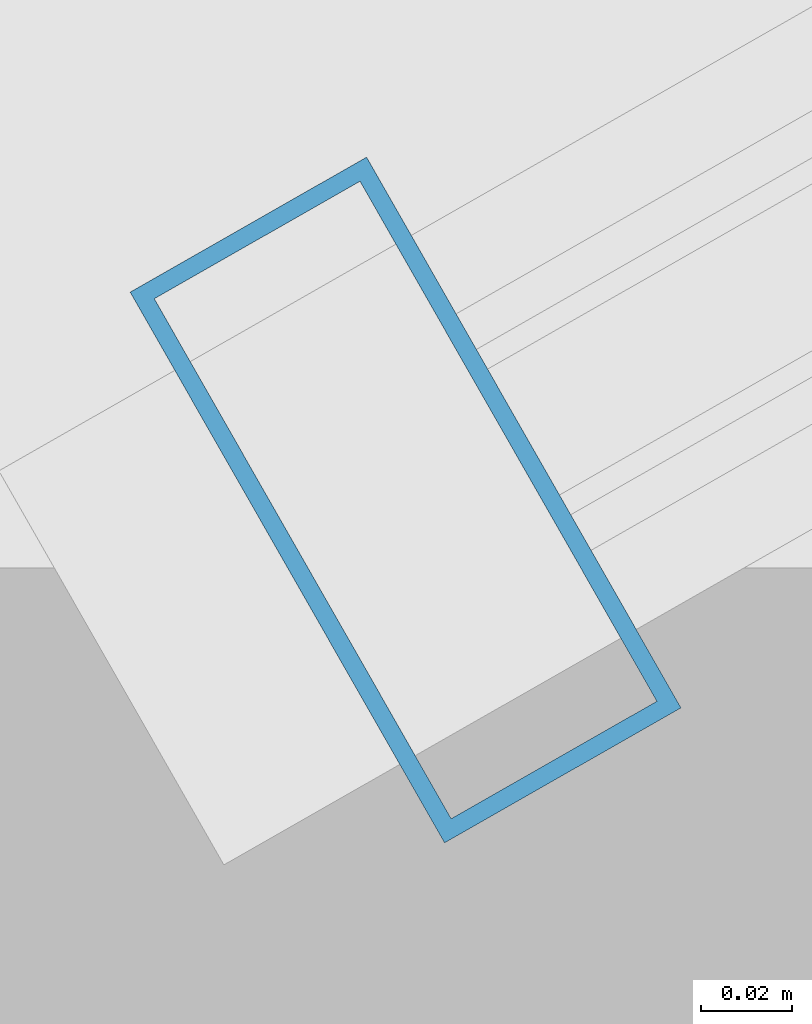
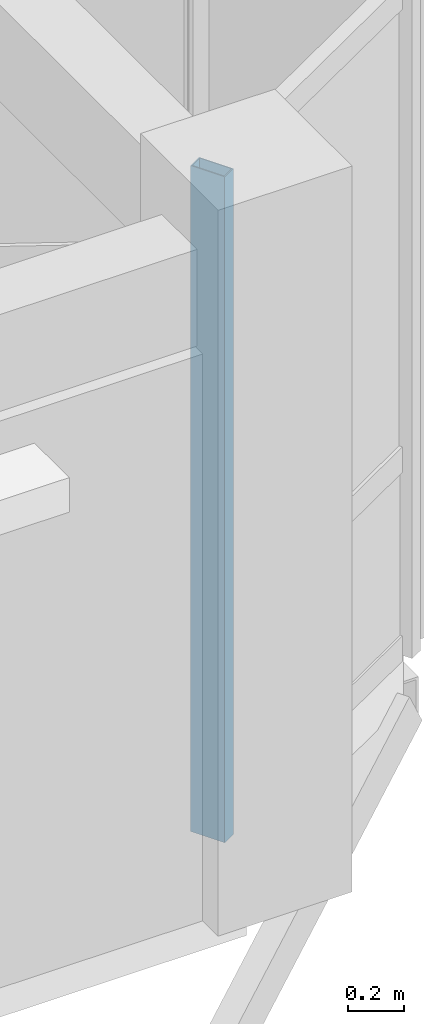
# One storey, part 23 of 79: 1 member, 1 element without a shape of its own.
"""IFC4 building model written with IfcOpenShell, lengths in metres."""

from ifc_helpers import new_model, si_unit, direction, frame, origin, origin_2d, place, context, subcontext, project, spatial, hollow_rectangle, extrude, material, layer, layer_set, material_profile, profile_set, type_object, element, aggregate, save


model = new_model("IFC4")

# Units and contexts
model_context = context("Model", 3, precision=1e-05, world=origin(), true_north=direction((0.0, 1.0)))
body_context = subcontext(model_context, "Body", "Model", "MODEL_VIEW")
ifc_project = project(units=[si_unit("LENGTHUNIT", "METRE"), si_unit("AREAUNIT", "SQUARE_METRE"), si_unit("VOLUMEUNIT", "CUBIC_METRE"), si_unit("PLANEANGLEUNIT", "RADIAN"), si_unit("MASSUNIT", "GRAM", prefix="KILO"), si_unit("THERMODYNAMICTEMPERATUREUNIT", "KELVIN"), si_unit("POWERUNIT", "WATT")], contexts=[model_context])

# Site, building, storey
site_placement = place(None, origin())
site = spatial("IfcSite", under=ifc_project, at=site_placement, CompositionType="ELEMENT")
building_placement = place(site_placement, origin())
building = spatial("IfcBuilding", under=site, at=building_placement, Name="Tavuni Mirador Residences", CompositionType="ELEMENT")
storey_placement = place(building_placement, frame((0.0, 0.0, 13.949951171875)))
storey = spatial("IfcBuildingStorey", under=building, at=storey_placement, Name="L04", CompositionType="ELEMENT", Elevation=13.949951171875)

# Curtain wall, member
ifc_material = material(Name="Anodised aluminium", Category="aluminium")
ifc_layer = layer(ifc_material, 0.175048828125, Name="Anodised aluminium", Category="aluminium")
ifc_layer_set = layer_set([ifc_layer], Name="Anodised aluminium")
curtain_wall_type = type_object("IfcCurtainWallType", Name="CWT-MIR-C", PredefinedType="NOTDEFINED", material=ifc_layer_set)
curtain_wall_placement = place(storey_placement, origin())
curtain_wall = element("IfcCurtainWall", 1, at=curtain_wall_placement, inside=storey, type_object=curtain_wall_type, Name="CW-MIR-D-E1-L04-M1", PredefinedType="NOTDEFINED")
ifc_material_profile = material_profile(ifc_material, hollow_rectangle(XDim=0.06005859375, YDim=0.139892578125, WallThickness=0.00390625, at=origin_2d()), Name="ALU 60x140x4.0", Category="aluminium")
ifc_profile_set = profile_set([ifc_material_profile], Name="Anodised aluminium")
member_type = type_object("IfcMemberType", Name="CWM-140", PredefinedType="MULLION", material=ifc_profile_set)
member_placement = place(storey_placement, frame((118.826171875, 86.68994140625, 0.0), z_axis=(0.0, 0.0, 1.0), x_axis=(0.868465738194, 0.495749192217, 0.0)))
member = element("IfcMember", 2, at=member_placement, type_object=member_type, Name="CW-03 mullion 1", PredefinedType="MULLION", context=body_context, shape_type="SweptSolid", body=[
    extrude(hollow_rectangle(XDim=0.06005859375, YDim=0.139892578125, WallThickness=0.00390625, at=origin_2d()), origin(), (0.0, 0.0, 1.0), 2.89013671875),
])
aggregate(curtain_wall, [member])

save(model, "model.ifc")
